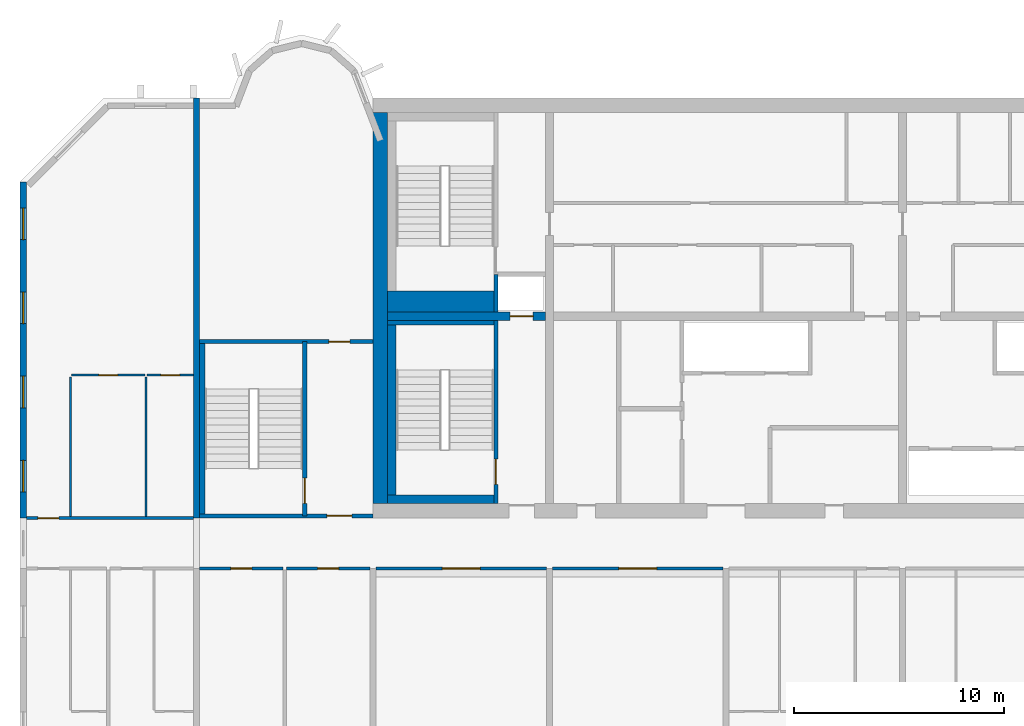
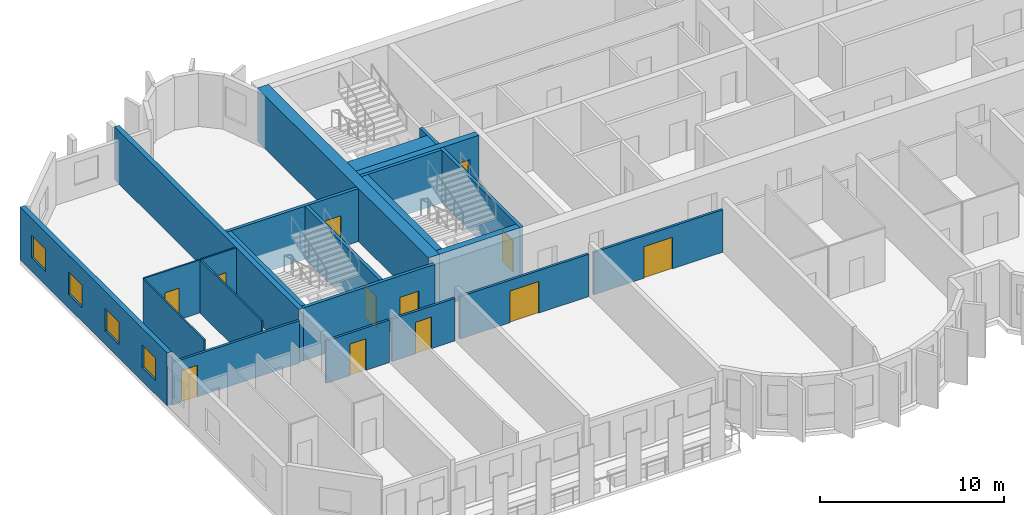
# One storey, part 3 of 13: 23 walls, 12 doors, 4 windows, 16 openings.
"""IFC4 building model written with IfcOpenShell, lengths in metres."""

from ifc_helpers import new_model, si_unit, direction, frame, frame_2d, origin, place, context, subcontext, project, spatial, rectangle, extrude, source, transform, mapped, material, layer, layer_set, type_object, element, fill, save


model = new_model("IFC4")

# Units and contexts
model_context = context("Model", 3, precision=1e-05, world=origin(), true_north=direction((0.0, 1.0)))
body_context = subcontext(model_context, "Body", "Model", "MODEL_VIEW")
ifc_project = project(units=[si_unit("LENGTHUNIT", "METRE"), si_unit("AREAUNIT", "SQUARE_METRE"), si_unit("VOLUMEUNIT", "CUBIC_METRE"), si_unit("PLANEANGLEUNIT", "RADIAN"), si_unit("MASSUNIT", "GRAM", prefix="KILO")], contexts=[model_context])

# Site, building, storey
site_placement = place(None, origin())
site = spatial("IfcSite", under=ifc_project, at=site_placement, CompositionType="ELEMENT")
building_placement = place(site_placement, origin())
building = spatial("IfcBuilding", under=site, at=building_placement, Name="Vanashikhar Sky Hotel", CompositionType="ELEMENT")
storey_placement = place(building_placement, frame((0.0, 0.0, 193.39990234375)))
storey = spatial("IfcBuildingStorey", under=building, at=storey_placement, Name="L47", CompositionType="ELEMENT", Elevation=193.39990234375)

# Wall
ifc_material_1 = material(Name="Concrete M60", Category="concrete")
ifc_layer_1 = layer(ifc_material_1, 0.699951171875)
ifc_layer_set_1 = layer_set([ifc_layer_1], Name="RC core shell wall 700 Concrete M60")
wall_type_1 = type_object("IfcWallType", Name="RC core shell wall 700 Concrete M60", PredefinedType="SHEAR", material=ifc_layer_set_1)
shared_shape_1 = source(origin(), body_context, "Body", "SweptSolid", [
    extrude(rectangle(XDim=18.60009765625, YDim=0.699951171875, at=frame_2d((9.300048828125, 0.0))), origin(), (0.0, 0.0, 1.0), 3.52001953125),
])
wall_1_placement = place(storey_placement, frame((25.550048828125, 22.699951171875, 0.0), z_axis=(0.0, 0.0, 1.0), x_axis=(0.0, 1.0, 0.0)))
element("IfcWall", 1, at=wall_1_placement, inside=storey, type_object=wall_type_1, Name="KW-L47-KW", PredefinedType="SHEAR", context=body_context, shape_type="MappedRepresentation", body=[
    mapped(shared_shape_1, transform((0.0, 0.0, 0.0), scale=1.0)),
])

# Wall, opening, door
ifc_layer_2 = layer(ifc_material_1, 0.39990234375)
ifc_layer_set_2 = layer_set([ifc_layer_2], Name="RC core inner wall 400 Concrete M60")
wall_type_2 = type_object("IfcWallType", Name="RC core inner wall 400 Concrete M60", PredefinedType="SHEAR", material=ifc_layer_set_2)
shared_shape_2 = source(origin(), body_context, "Body", "SweptSolid", [
    extrude(rectangle(XDim=7.5, YDim=0.39990234375, at=frame_2d((3.75, 0.0))), origin(), (0.0, 0.0, 1.0), 3.52001953125),
])
wall_2_placement = place(storey_placement, frame((25.89990234375, 31.60009765625, 0.0), z_axis=(0.0, 0.0, 1.0), x_axis=(1.0, 0.0, 0.0)))
wall_2 = element("IfcWall", 2, at=wall_2_placement, inside=storey, type_object=wall_type_2, Name="KW-L47-KY1", PredefinedType="SHEAR", context=body_context, shape_type="MappedRepresentation", body=[
    mapped(shared_shape_2, transform((0.0, 0.0, 0.0), scale=1.0)),
])
shared_shape_3 = source(origin(), body_context, "Body", "SweptSolid", [
    extrude(rectangle(XDim=1.10009765625, YDim=2.10009765625, at=frame_2d((0.550048828125, 1.050048828125))), frame((0.0, 0.2099609375, 0.0), z_axis=(0.0, -1.0, 0.0), x_axis=(1.0, 0.0, 0.0)), (0.0, 0.0, 1.0), 0.419921875),
])
opening_1_placement = place(wall_2_placement, frame((5.824951171875, 0.0, 0.0)))
opening_1 = element("IfcOpeningElement", 3, at=opening_1_placement, cuts=wall_2, Name="Opening LD", PredefinedType="OPENING", context=body_context, shape_type="MappedRepresentation", body=[
    mapped(shared_shape_3, transform((0.0, 0.0, 0.0), scale=1.0)),
])
ifc_material_2 = material(Name="Stainless steel", Category="steel")
door_type_1 = type_object("IfcDoorType", Name="Lift landing door 1100", OperationType="NOTDEFINED", PredefinedType="DOOR", material=ifc_material_2)
shared_shape_4 = source(origin(), body_context, "Body", "SweptSolid", [
    extrude(rectangle(XDim=1.10009765625, YDim=2.10009765625, at=frame_2d((0.550048828125, 1.050048828125))), frame((0.0, 0.02490234375, 0.0), z_axis=(0.0, -1.0, 0.0), x_axis=(1.0, 0.0, 0.0)), (0.0, 0.0, 1.0), 0.050048828125),
])
door_1_placement = place(opening_1_placement, origin())
door_1 = element("IfcDoor", 4, at=door_1_placement, inside=storey, type_object=door_type_1, Name="Lift landing door 1100", OperationType="SLIDING_TO_RIGHT", OverallHeight=2.10009765625, OverallWidth=1.10009765625, PredefinedType="DOOR", context=body_context, shape_type="MappedRepresentation", body=[
    mapped(shared_shape_4, transform((0.0, 0.0, 0.0), scale=1.0)),
])
fill(opening_1, door_1)

# Wall, openings, windows
ifc_layer_3 = layer(ifc_material_1, 0.300048828125)
ifc_layer_set_3 = layer_set([ifc_layer_3], Name="RC shear wall 300 Concrete M60")
wall_type_3 = type_object("IfcWallType", Name="RC shear wall 300 Concrete M60", PredefinedType="SHEAR", material=ifc_layer_set_3)
shared_shape_5 = source(origin(), body_context, "Body", "SweptSolid", [
    extrude(rectangle(XDim=16.0, YDim=0.300048828125, at=frame_2d((8.0, 0.0))), origin(), (0.0, 0.0, 1.0), 3.52001953125),
])
wall_3_placement = place(storey_placement, frame((8.550048828125, 22.0, 0.0), z_axis=(0.0, 0.0, 1.0), x_axis=(0.0, 1.0, 0.0)))
wall_3 = element("IfcWall", 5, at=wall_3_placement, inside=storey, type_object=wall_type_3, Name="CW-L47-XW02-2", PredefinedType="SHEAR", context=body_context, shape_type="MappedRepresentation", body=[
    mapped(shared_shape_5, transform((0.0, 0.0, 0.0), scale=1.0)),
])
shared_shape_6 = source(origin(), body_context, "Body", "SweptSolid", [
    extrude(rectangle(XDim=1.5, YDim=1.5, at=frame_2d((0.75, 0.75))), frame((0.0, 0.16015625, 0.0), z_axis=(0.0, -1.0, 0.0), x_axis=(1.0, 0.0, 0.0)), (0.0, 0.0, 1.0), 0.320068359375),
])
opening_2_placement = place(wall_3_placement, frame((1.25, 0.0, 0.89990234375)))
opening_2 = element("IfcOpeningElement", 6, at=opening_2_placement, cuts=wall_3, Name="Opening WN-1", PredefinedType="OPENING", context=body_context, shape_type="MappedRepresentation", body=[
    mapped(shared_shape_6, transform((0.0, 0.0, 0.0), scale=1.0)),
])
opening_3_placement = place(wall_3_placement, frame((5.25, 0.0, 0.89990234375)))
opening_3 = element("IfcOpeningElement", 7, at=opening_3_placement, cuts=wall_3, Name="Opening WN-1", PredefinedType="OPENING", context=body_context, shape_type="MappedRepresentation", body=[
    mapped(shared_shape_6, transform((0.0, 0.0, 0.0), scale=1.0)),
])
opening_4_placement = place(wall_3_placement, frame((9.25, 0.0, 0.89990234375)))
opening_4 = element("IfcOpeningElement", 8, at=opening_4_placement, cuts=wall_3, Name="Opening WN-1", PredefinedType="OPENING", context=body_context, shape_type="MappedRepresentation", body=[
    mapped(shared_shape_6, transform((0.0, 0.0, 0.0), scale=1.0)),
])
opening_5_placement = place(wall_3_placement, frame((13.25, 0.0, 0.89990234375)))
opening_5 = element("IfcOpeningElement", 9, at=opening_5_placement, cuts=wall_3, Name="Opening WN-1", PredefinedType="OPENING", context=body_context, shape_type="MappedRepresentation", body=[
    mapped(shared_shape_6, transform((0.0, 0.0, 0.0), scale=1.0)),
])
ifc_material_3 = material(Name="Glass", Category="glass")
window_type = type_object("IfcWindowType", Name="Window 1500 x 1500", PartitioningType="SINGLE_PANEL", PredefinedType="WINDOW", material=ifc_material_3)
shared_shape_7 = source(origin(), body_context, "Body", "SweptSolid", [
    extrude(rectangle(XDim=1.5, YDim=1.5, at=frame_2d((0.75, 0.75))), frame((0.0, 0.030029296875, 0.0), z_axis=(0.0, -1.0, 0.0), x_axis=(1.0, 0.0, 0.0)), (0.0, 0.0, 1.0), 0.06005859375),
])
window_1_placement = place(opening_2_placement, origin())
window_1 = element("IfcWindow", 10, at=window_1_placement, inside=storey, type_object=window_type, Name="Window WN-1", OverallHeight=1.5, OverallWidth=1.5, PartitioningType="SINGLE_PANEL", PredefinedType="WINDOW", context=body_context, shape_type="MappedRepresentation", body=[
    mapped(shared_shape_7, transform((0.0, 0.0, 0.0), scale=1.0)),
])
fill(opening_2, window_1)
window_2_placement = place(opening_3_placement, origin())
window_2 = element("IfcWindow", 11, at=window_2_placement, inside=storey, type_object=window_type, Name="Window WN-1", OverallHeight=1.5, OverallWidth=1.5, PartitioningType="SINGLE_PANEL", PredefinedType="WINDOW", context=body_context, shape_type="MappedRepresentation", body=[
    mapped(shared_shape_7, transform((0.0, 0.0, 0.0), scale=1.0)),
])
fill(opening_3, window_2)
window_3_placement = place(opening_4_placement, origin())
window_3 = element("IfcWindow", 12, at=window_3_placement, inside=storey, type_object=window_type, Name="Window WN-1", OverallHeight=1.5, OverallWidth=1.5, PartitioningType="SINGLE_PANEL", PredefinedType="WINDOW", context=body_context, shape_type="MappedRepresentation", body=[
    mapped(shared_shape_7, transform((0.0, 0.0, 0.0), scale=1.0)),
])
fill(opening_4, window_3)
window_4_placement = place(opening_5_placement, origin())
window_4 = element("IfcWindow", 13, at=window_4_placement, inside=storey, type_object=window_type, Name="Window WN-1", OverallHeight=1.5, OverallWidth=1.5, PartitioningType="SINGLE_PANEL", PredefinedType="WINDOW", context=body_context, shape_type="MappedRepresentation", body=[
    mapped(shared_shape_7, transform((0.0, 0.0, 0.0), scale=1.0)),
])
fill(opening_5, window_4)

# Wall
shared_shape_8 = source(origin(), body_context, "Body", "SweptSolid", [
    extrude(rectangle(XDim=20.0, YDim=0.300048828125, at=frame_2d((10.0, 0.0))), origin(), (0.0, 0.0, 1.0), 3.52001953125),
])
wall_4_placement = place(storey_placement, frame((16.800048828125, 22.0, 0.0), z_axis=(0.0, 0.0, 1.0), x_axis=(0.0, 1.0, 0.0)))
element("IfcWall", 14, at=wall_4_placement, inside=storey, type_object=wall_type_3, Name="CW-L47-XW03-2", PredefinedType="SHEAR", context=body_context, shape_type="MappedRepresentation", body=[
    mapped(shared_shape_8, transform((0.0, 0.0, 0.0), scale=1.0)),
])

# Wall, opening, door
ifc_material_4 = material(Name="Concrete M50", Category="concrete")
ifc_layer_4 = layer(ifc_material_4, 0.199951171875)
ifc_layer_set_4 = layer_set([ifc_layer_4], Name="Stair wall 200")
wall_type_4 = type_object("IfcWallType", Name="Stair wall 200", PredefinedType="SOLIDWALL", material=ifc_layer_set_4)
shared_shape_9 = source(origin(), body_context, "Body", "SweptSolid", [
    extrude(rectangle(XDim=8.2998046875, YDim=0.199951171875, at=frame_2d((4.14990234375, 0.0))), origin(), (0.0, 0.0, 1.0), 3.52001953125),
])
wall_5_placement = place(storey_placement, frame((21.949951171875, 22.10009765625, 0.0), z_axis=(0.0, 0.0, 1.0), x_axis=(0.0, 1.0, 0.0)))
wall_5 = element("IfcWall", 15, at=wall_5_placement, inside=storey, type_object=wall_type_4, Name="Stair wall 200", PredefinedType="SOLIDWALL", context=body_context, shape_type="MappedRepresentation", body=[
    mapped(shared_shape_9, transform((0.0, 0.0, 0.0), scale=1.0)),
])
shared_shape_10 = source(origin(), body_context, "Body", "SweptSolid", [
    extrude(rectangle(XDim=1.199951171875, YDim=2.10009765625, at=frame_2d((0.60009765625, 1.050048828125))), frame((0.0, 0.10986328125, 0.0), z_axis=(0.0, -1.0, 0.0), x_axis=(1.0, 0.0, 0.0)), (0.0, 0.0, 1.0), 0.219970703125),
])
opening_6_placement = place(wall_5_placement, frame((0.60009765625, 0.0, 0.0)))
opening_6 = element("IfcOpeningElement", 16, at=opening_6_placement, cuts=wall_5, Name="Opening DC-1", PredefinedType="OPENING", context=body_context, shape_type="MappedRepresentation", body=[
    mapped(shared_shape_10, transform((0.0, 0.0, 0.0), scale=1.0)),
])
ifc_material_5 = material(Name="Steel", Category="steel")
door_type_2 = type_object("IfcDoorType", Name="Stair door 1200 FD120", OperationType="NOTDEFINED", PredefinedType="DOOR", material=ifc_material_5)
shared_shape_11 = source(origin(), body_context, "Body", "SweptSolid", [
    extrude(rectangle(XDim=1.199951171875, YDim=2.10009765625, at=frame_2d((0.60009765625, 1.050048828125))), frame((0.0, 0.02490234375, 0.0), z_axis=(0.0, -1.0, 0.0), x_axis=(1.0, 0.0, 0.0)), (0.0, 0.0, 1.0), 0.050048828125),
])
door_2_placement = place(opening_6_placement, origin())
door_2 = element("IfcDoor", 17, at=door_2_placement, inside=storey, type_object=door_type_2, Name="Stair door 1200 FD120", OperationType="SINGLE_SWING_RIGHT", OverallHeight=2.10009765625, OverallWidth=1.199951171875, PredefinedType="DOOR", context=body_context, shape_type="MappedRepresentation", body=[
    mapped(shared_shape_11, transform((0.0, 0.0, 0.0), scale=1.0)),
])
fill(opening_6, door_2)

shared_shape_12 = source(origin(), body_context, "Body", "SweptSolid", [
    extrude(rectangle(XDim=8.699951171875, YDim=0.199951171875, at=frame_2d((4.35009765625, 0.0))), origin(), (0.0, 0.0, 1.0), 3.52001953125),
])
wall_6_placement = place(storey_placement, frame((31.050048828125, 22.699951171875, 0.0), z_axis=(0.0, 0.0, 1.0), x_axis=(0.0, 1.0, 0.0)))
wall_6 = element("IfcWall", 18, at=wall_6_placement, inside=storey, type_object=wall_type_4, Name="Stair wall 200", PredefinedType="SOLIDWALL", context=body_context, shape_type="MappedRepresentation", body=[
    mapped(shared_shape_12, transform((0.0, 0.0, 0.0), scale=1.0)),
])
opening_7_placement = place(wall_6_placement, frame((0.89990234375, 0.0, 0.0)))
opening_7 = element("IfcOpeningElement", 19, at=opening_7_placement, cuts=wall_6, Name="Opening DC-1", PredefinedType="OPENING", context=body_context, shape_type="MappedRepresentation", body=[
    mapped(shared_shape_10, transform((0.0, 0.0, 0.0), scale=1.0)),
])
door_3_placement = place(opening_7_placement, origin())
door_3 = element("IfcDoor", 20, at=door_3_placement, inside=storey, type_object=door_type_2, Name="Stair door 1200 FD120", OperationType="SINGLE_SWING_RIGHT", OverallHeight=2.10009765625, OverallWidth=1.199951171875, PredefinedType="DOOR", context=body_context, shape_type="MappedRepresentation", body=[
    mapped(shared_shape_11, transform((0.0, 0.0, 0.0), scale=1.0)),
])
fill(opening_7, door_3)

# Wall
ifc_material_6 = material(Name="Concrete M40", Category="concrete")
ifc_layer_5 = layer(ifc_material_6, 0.199951171875)
ifc_layer_set_5 = layer_set([ifc_layer_5], Name="Shaft wall 200")
wall_type_5 = type_object("IfcWallType", Name="Shaft wall 200", PredefinedType="SOLIDWALL", material=ifc_layer_set_5)
shared_shape_13 = source(origin(), body_context, "Body", "SweptSolid", [
    extrude(rectangle(XDim=1.800048828125, YDim=0.199951171875, at=frame_2d((0.89990234375, 0.0))), origin(), (0.0, 0.0, 1.0), 3.52001953125),
])
wall_7_placement = place(storey_placement, frame((31.050048828125, 31.800048828125, 0.0), z_axis=(0.0, 0.0, 1.0), x_axis=(0.0, 1.0, 0.0)))
element("IfcWall", 21, at=wall_7_placement, inside=storey, type_object=wall_type_5, Name="Shaft wall 200", PredefinedType="SOLIDWALL", context=body_context, shape_type="MappedRepresentation", body=[
    mapped(shared_shape_13, transform((0.0, 0.0, 0.0), scale=1.0)),
])

# Wall, opening, door
shared_shape_14 = source(origin(), body_context, "Body", "SweptSolid", [
    extrude(rectangle(XDim=8.25, YDim=0.199951171875, at=frame_2d((4.125, 0.0))), origin(), (0.0, 0.0, 1.0), 3.52001953125),
])
wall_8_placement = place(storey_placement, frame((16.949951171875, 22.10009765625, 0.0), z_axis=(0.0, 0.0, 1.0), x_axis=(1.0, 0.0, 0.0)))
wall_8 = element("IfcWall", 22, at=wall_8_placement, inside=storey, type_object=wall_type_4, Name="Stair wall 200", PredefinedType="SOLIDWALL", context=body_context, shape_type="MappedRepresentation", body=[
    mapped(shared_shape_14, transform((0.0, 0.0, 0.0), scale=1.0)),
])
opening_8_placement = place(wall_8_placement, frame((6.050048828125, 0.0, 0.0)))
opening_8 = element("IfcOpeningElement", 23, at=opening_8_placement, cuts=wall_8, Name="Opening DC-2", PredefinedType="OPENING", context=body_context, shape_type="MappedRepresentation", body=[
    mapped(shared_shape_10, transform((0.0, 0.0, 0.0), scale=1.0)),
])
door_type_3 = type_object("IfcDoorType", Name="Firefighting lobby door 1200 FD120", OperationType="NOTDEFINED", PredefinedType="DOOR", material=ifc_material_5)
door_4_placement = place(opening_8_placement, origin())
door_4 = element("IfcDoor", 24, at=door_4_placement, inside=storey, type_object=door_type_3, Name="Firefighting lobby door 1200 FD120", OperationType="SINGLE_SWING_LEFT", OverallHeight=2.10009765625, OverallWidth=1.199951171875, PredefinedType="DOOR", context=body_context, shape_type="MappedRepresentation", body=[
    mapped(shared_shape_11, transform((0.0, 0.0, 0.0), scale=1.0)),
])
fill(opening_8, door_4)

wall_9_placement = place(storey_placement, frame((16.949951171875, 30.39990234375, 0.0), z_axis=(0.0, 0.0, 1.0), x_axis=(1.0, 0.0, 0.0)))
wall_9 = element("IfcWall", 25, at=wall_9_placement, inside=storey, type_object=wall_type_4, Name="Stair wall 200", PredefinedType="SOLIDWALL", context=body_context, shape_type="MappedRepresentation", body=[
    mapped(shared_shape_14, transform((0.0, 0.0, 0.0), scale=1.0)),
])
shared_shape_15 = source(origin(), body_context, "Body", "SweptSolid", [
    extrude(rectangle(XDim=1.0, YDim=2.10009765625, at=frame_2d((0.5, 1.050048828125))), frame((0.0, 0.10986328125, 0.0), z_axis=(0.0, -1.0, 0.0), x_axis=(1.0, 0.0, 0.0)), (0.0, 0.0, 1.0), 0.219970703125),
])
opening_9_placement = place(wall_9_placement, frame((6.14990234375, 0.0, 0.0)))
opening_9 = element("IfcOpeningElement", 26, at=opening_9_placement, cuts=wall_9, Name="Opening DC-6", PredefinedType="OPENING", context=body_context, shape_type="MappedRepresentation", body=[
    mapped(shared_shape_15, transform((0.0, 0.0, 0.0), scale=1.0)),
])
door_type_4 = type_object("IfcDoorType", Name="Pocket door 1000 FD60", OperationType="NOTDEFINED", PredefinedType="DOOR", material=ifc_material_5)
shared_shape_16 = source(origin(), body_context, "Body", "SweptSolid", [
    extrude(rectangle(XDim=1.0, YDim=2.10009765625, at=frame_2d((0.5, 1.050048828125))), frame((0.0, 0.02490234375, 0.0), z_axis=(0.0, -1.0, 0.0), x_axis=(1.0, 0.0, 0.0)), (0.0, 0.0, 1.0), 0.050048828125),
])
door_5_placement = place(opening_9_placement, origin())
door_5 = element("IfcDoor", 27, at=door_5_placement, inside=storey, type_object=door_type_4, Name="Pocket door 1000 FD60", OperationType="SINGLE_SWING_LEFT", OverallHeight=2.10009765625, OverallWidth=1.0, PredefinedType="DOOR", context=body_context, shape_type="MappedRepresentation", body=[
    mapped(shared_shape_16, transform((0.0, 0.0, 0.0), scale=1.0)),
])
fill(opening_9, door_5)

# Walls
ifc_layer_6 = layer(ifc_material_4, 0.39990234375)
ifc_layer_set_6 = layer_set([ifc_layer_6], Name="Stair infill wall 400")
wall_type_6 = type_object("IfcWallType", Name="Stair infill wall 400", PredefinedType="SOLIDWALL", material=ifc_layer_set_6)
shared_shape_17 = source(origin(), body_context, "Body", "SweptSolid", [
    extrude(rectangle(XDim=5.050048828125, YDim=0.39990234375, at=frame_2d((2.52490234375, 0.0))), origin(), (0.0, 0.0, 1.0), 3.52001953125),
])
wall_10_placement = place(storey_placement, frame((25.89990234375, 22.89990234375, 0.0), z_axis=(0.0, 0.0, 1.0), x_axis=(1.0, 0.0, 0.0)))
element("IfcWall", 28, at=wall_10_placement, inside=storey, type_object=wall_type_6, Name="Stair infill wall 400", PredefinedType="SOLIDWALL", context=body_context, shape_type="MappedRepresentation", body=[
    mapped(shared_shape_17, transform((0.0, 0.0, 0.0), scale=1.0)),
])
ifc_layer_7 = layer(ifc_material_4, 0.199951171875)
ifc_layer_set_7 = layer_set([ifc_layer_7], Name="Stair infill wall 200")
wall_type_7 = type_object("IfcWallType", Name="Stair infill wall 200", PredefinedType="SOLIDWALL", material=ifc_layer_set_7)
shared_shape_18 = source(origin(), body_context, "Body", "SweptSolid", [
    extrude(rectangle(XDim=5.050048828125, YDim=0.199951171875, at=frame_2d((2.52490234375, 0.0))), origin(), (0.0, 0.0, 1.0), 3.52001953125),
])
wall_11_placement = place(storey_placement, frame((25.89990234375, 31.300048828125, 0.0), z_axis=(0.0, 0.0, 1.0), x_axis=(1.0, 0.0, 0.0)))
element("IfcWall", 29, at=wall_11_placement, inside=storey, type_object=wall_type_7, Name="Stair infill wall 200", PredefinedType="SOLIDWALL", context=body_context, shape_type="MappedRepresentation", body=[
    mapped(shared_shape_18, transform((0.0, 0.0, 0.0), scale=1.0)),
])
shared_shape_19 = source(origin(), body_context, "Body", "SweptSolid", [
    extrude(rectangle(XDim=8.099853515625, YDim=0.39990234375, at=frame_2d((4.0498046875, 0.0))), origin(), (0.0, 0.0, 1.0), 3.52001953125),
])
wall_12_placement = place(storey_placement, frame((26.10009765625, 23.10009765625, 0.0), z_axis=(0.0, 0.0, 1.0), x_axis=(0.0, 1.0, 0.0)))
element("IfcWall", 30, at=wall_12_placement, inside=storey, type_object=wall_type_6, Name="Stair infill wall 400", PredefinedType="SOLIDWALL", context=body_context, shape_type="MappedRepresentation", body=[
    mapped(shared_shape_19, transform((0.0, 0.0, 0.0), scale=1.0)),
])
ifc_layer_8 = layer(ifc_material_4, 0.25)
ifc_layer_set_8 = layer_set([ifc_layer_8], Name="Stair infill wall 250")
wall_type_8 = type_object("IfcWallType", Name="Stair infill wall 250", PredefinedType="SOLIDWALL", material=ifc_layer_set_8)
shared_shape_20 = source(origin(), body_context, "Body", "SweptSolid", [
    extrude(rectangle(XDim=8.10009765625, YDim=0.25, at=frame_2d((4.050048828125, 0.0))), origin(), (0.0, 0.0, 1.0), 3.52001953125),
])
wall_13_placement = place(storey_placement, frame((17.074951171875, 22.199951171875, 0.0), z_axis=(0.0, 0.0, 1.0), x_axis=(0.0, 1.0, 0.0)))
element("IfcWall", 31, at=wall_13_placement, inside=storey, type_object=wall_type_8, Name="Stair infill wall 250", PredefinedType="SOLIDWALL", context=body_context, shape_type="MappedRepresentation", body=[
    mapped(shared_shape_20, transform((0.0, 0.0, 0.0), scale=1.0)),
])
ifc_layer_9 = layer(ifc_material_4, 1.0)
ifc_layer_set_9 = layer_set([ifc_layer_9], Name="Stair infill wall 1000")
wall_type_9 = type_object("IfcWallType", Name="Stair infill wall 1000", PredefinedType="SOLIDWALL", material=ifc_layer_set_9)
shared_shape_21 = source(origin(), body_context, "Body", "SweptSolid", [
    extrude(rectangle(XDim=5.050048828125, YDim=1.0, at=frame_2d((2.52490234375, 0.0))), origin(), (0.0, 0.0, 1.0), 3.52001953125),
])
wall_14_placement = place(storey_placement, frame((25.89990234375, 32.300048828125, 0.0), z_axis=(0.0, 0.0, 1.0), x_axis=(1.0, 0.0, 0.0)))
element("IfcWall", 32, at=wall_14_placement, inside=storey, type_object=wall_type_9, Name="Stair infill wall 1000", PredefinedType="SOLIDWALL", context=body_context, shape_type="MappedRepresentation", body=[
    mapped(shared_shape_21, transform((0.0, 0.0, 0.0), scale=1.0)),
])

# Wall, opening, door
ifc_material_7 = material(Name="Gypsum plasterboard partition")
ifc_layer_10 = layer(ifc_material_7, 0.10009765625)
ifc_layer_set_10 = layer_set([ifc_layer_10], Name="Wet room partition 100")
wall_type_10 = type_object("IfcWallType", Name="Wet room partition 100", PredefinedType="PARTITIONING", material=ifc_layer_set_10)
shared_shape_22 = source(origin(), body_context, "Body", "SweptSolid", [
    extrude(rectangle(XDim=3.5, YDim=0.10009765625, at=frame_2d((1.75, 0.0))), origin(), (0.0, 0.0, 1.0), 3.52001953125),
])
wall_15_placement = place(storey_placement, frame((10.85009765625, 28.800048828125, 0.0), z_axis=(0.0, 0.0, 1.0), x_axis=(1.0, 0.0, 0.0)))
wall_15 = element("IfcWall", 33, at=wall_15_placement, inside=storey, type_object=wall_type_10, Name="W-L47-PW055", PredefinedType="PARTITIONING", context=body_context, shape_type="MappedRepresentation", body=[
    mapped(shared_shape_22, transform((0.0, 0.0, 0.0), scale=1.0)),
])
shared_shape_23 = source(origin(), body_context, "Body", "SweptSolid", [
    extrude(rectangle(XDim=0.89990234375, YDim=2.10009765625, at=frame_2d((0.449951171875, 1.050048828125))), frame((0.0, 0.06005859375, 0.0), z_axis=(0.0, -1.0, 0.0), x_axis=(1.0, 0.0, 0.0)), (0.0, 0.0, 1.0), 0.1201171875),
])
opening_10_placement = place(wall_15_placement, frame((1.300048828125, 0.0, 0.0)))
opening_10 = element("IfcOpeningElement", 34, at=opening_10_placement, cuts=wall_15, Name="Opening D-02", PredefinedType="OPENING", context=body_context, shape_type="MappedRepresentation", body=[
    mapped(shared_shape_23, transform((0.0, 0.0, 0.0), scale=1.0)),
])
ifc_material_8 = material(Name="Timber door", Category="wood")
door_type_5 = type_object("IfcDoorType", Name="Internal door 900", OperationType="NOTDEFINED", PredefinedType="DOOR", material=ifc_material_8)
shared_shape_24 = source(origin(), body_context, "Body", "SweptSolid", [
    extrude(rectangle(XDim=0.89990234375, YDim=2.10009765625, at=frame_2d((0.449951171875, 1.050048828125))), frame((0.0, 0.02490234375, 0.0), z_axis=(0.0, -1.0, 0.0), x_axis=(1.0, 0.0, 0.0)), (0.0, 0.0, 1.0), 0.050048828125),
])
door_6_placement = place(opening_10_placement, origin())
door_6 = element("IfcDoor", 35, at=door_6_placement, inside=storey, type_object=door_type_5, Name="D-L47-031", OperationType="SINGLE_SWING_LEFT", OverallHeight=2.10009765625, OverallWidth=0.89990234375, PredefinedType="DOOR", context=body_context, shape_type="MappedRepresentation", body=[
    mapped(shared_shape_24, transform((0.0, 0.0, 0.0), scale=1.0)),
])
fill(opening_10, door_6)

ifc_layer_11 = layer(ifc_material_7, 0.14990234375)
ifc_layer_set_11 = layer_set([ifc_layer_11], Name="Corridor and demising partition 150")
wall_type_11 = type_object("IfcWallType", Name="Corridor and demising partition 150", PredefinedType="PARTITIONING", material=ifc_layer_set_11)
shared_shape_25 = source(origin(), body_context, "Body", "SweptSolid", [
    extrude(rectangle(XDim=7.949951171875, YDim=0.14990234375, at=frame_2d((3.97509765625, 0.0))), origin(), (0.0, 0.0, 1.0), 2.820068359375),
])
wall_16_placement = place(storey_placement, frame((8.699951171875, 22.0, 0.0), z_axis=(0.0, 0.0, 1.0), x_axis=(1.0, 0.0, 0.0)))
wall_16 = element("IfcWall", 36, at=wall_16_placement, inside=storey, type_object=wall_type_11, Name="W-L47-PW057", PredefinedType="PARTITIONING", context=body_context, shape_type="MappedRepresentation", body=[
    mapped(shared_shape_25, transform((0.0, 0.0, 0.0), scale=1.0)),
])
shared_shape_26 = source(origin(), body_context, "Body", "SweptSolid", [
    extrude(rectangle(XDim=1.0, YDim=2.10009765625, at=frame_2d((0.5, 1.050048828125))), frame((0.0, 0.0849609375, 0.0), z_axis=(0.0, -1.0, 0.0), x_axis=(1.0, 0.0, 0.0)), (0.0, 0.0, 1.0), 0.169921875),
])
opening_11_placement = place(wall_16_placement, frame((0.550048828125, 0.0, 0.0)))
opening_11 = element("IfcOpeningElement", 37, at=opening_11_placement, cuts=wall_16, Name="Opening D-01", PredefinedType="OPENING", context=body_context, shape_type="MappedRepresentation", body=[
    mapped(shared_shape_26, transform((0.0, 0.0, 0.0), scale=1.0)),
])
ifc_material_9 = material(Name="Timber fire door", Category="wood")
door_type_6 = type_object("IfcDoorType", Name="Guest entry door 1000 FD30S", OperationType="NOTDEFINED", PredefinedType="DOOR", material=ifc_material_9)
door_7_placement = place(opening_11_placement, origin())
door_7 = element("IfcDoor", 38, at=door_7_placement, inside=storey, type_object=door_type_6, Name="D-L47-033", OperationType="SINGLE_SWING_LEFT", OverallHeight=2.10009765625, OverallWidth=1.0, PredefinedType="DOOR", context=body_context, shape_type="MappedRepresentation", body=[
    mapped(shared_shape_16, transform((0.0, 0.0, 0.0), scale=1.0)),
])
fill(opening_11, door_7)

# Walls
shared_shape_27 = source(origin(), body_context, "Body", "SweptSolid", [
    extrude(rectangle(XDim=6.650146484375, YDim=0.10009765625, at=frame_2d((3.3251953125, 0.0))), origin(), (0.0, 0.0, 1.0), 3.52001953125),
])
for number, where, z_axis, x_axis, name in (
    (39, (10.800048828125, 22.074951171875, 0.0), (0.0, 0.0, 1.0), (0.0, 1.0, 0.0), "W-L47-PW053"),
    (40, (14.39990234375, 22.074951171875, 0.0), (0.0, 0.0, 1.0), (0.0, 1.0, 0.0), "W-L47-PW054"),
):
    element("IfcWall", number, at=place(storey_placement, frame(where, z_axis=z_axis, x_axis=x_axis)), inside=storey, type_object=wall_type_10, Name=name, PredefinedType="PARTITIONING", context=body_context, shape_type="MappedRepresentation", body=[
        mapped(shared_shape_27, transform((0.0, 0.0, 0.0), scale=1.0)),
    ])

# Wall, opening, door
shared_shape_28 = source(origin(), body_context, "Body", "SweptSolid", [
    extrude(rectangle(XDim=8.10009765625, YDim=0.14990234375, at=frame_2d((4.050048828125, 0.0))), origin(), (0.0, 0.0, 1.0), 2.820068359375),
])
wall_17_placement = place(storey_placement, frame((33.75, 19.60009765625, 0.0), z_axis=(0.0, 0.0, 1.0), x_axis=(1.0, 0.0, 0.0)))
wall_17 = element("IfcWall", 41, at=wall_17_placement, inside=storey, type_object=wall_type_11, Name="W-L47-PW012", PredefinedType="PARTITIONING", context=body_context, shape_type="MappedRepresentation", body=[
    mapped(shared_shape_28, transform((0.0, 0.0, 0.0), scale=1.0)),
])
shared_shape_29 = source(origin(), body_context, "Body", "SweptSolid", [
    extrude(rectangle(XDim=1.800048828125, YDim=2.10009765625, at=frame_2d((0.89990234375, 1.050048828125))), frame((0.0, 0.0849609375, 0.0), z_axis=(0.0, -1.0, 0.0), x_axis=(1.0, 0.0, 0.0)), (0.0, 0.0, 1.0), 0.169921875),
])
opening_12_placement = place(wall_17_placement, frame((3.14990234375, 0.0, 0.0)))
opening_12 = element("IfcOpeningElement", 42, at=opening_12_placement, cuts=wall_17, Name="Opening D-03", PredefinedType="OPENING", context=body_context, shape_type="MappedRepresentation", body=[
    mapped(shared_shape_29, transform((0.0, 0.0, 0.0), scale=1.0)),
])
door_type_7 = type_object("IfcDoorType", Name="Double leaf door 1800 FD30S", OperationType="NOTDEFINED", PredefinedType="DOOR", material=ifc_material_9)
shared_shape_30 = source(origin(), body_context, "Body", "SweptSolid", [
    extrude(rectangle(XDim=1.800048828125, YDim=2.10009765625, at=frame_2d((0.89990234375, 1.050048828125))), frame((0.0, 0.02490234375, 0.0), z_axis=(0.0, -1.0, 0.0), x_axis=(1.0, 0.0, 0.0)), (0.0, 0.0, 1.0), 0.050048828125),
])
door_8_placement = place(opening_12_placement, origin())
door_8 = element("IfcDoor", 43, at=door_8_placement, inside=storey, type_object=door_type_7, Name="D-L47-008", OperationType="DOUBLE_DOOR_SINGLE_SWING", OverallHeight=2.10009765625, OverallWidth=1.800048828125, PredefinedType="DOOR", context=body_context, shape_type="MappedRepresentation", body=[
    mapped(shared_shape_30, transform((0.0, 0.0, 0.0), scale=1.0)),
])
fill(opening_12, door_8)

shared_shape_31 = source(origin(), body_context, "Body", "SweptSolid", [
    extrude(rectangle(XDim=3.97509765625, YDim=0.14990234375, at=frame_2d((1.987548828125, 0.0))), origin(), (0.0, 0.0, 1.0), 2.820068359375),
])
wall_18_placement = place(storey_placement, frame((16.949951171875, 19.60009765625, 0.0), z_axis=(0.0, 0.0, 1.0), x_axis=(1.0, 0.0, 0.0)))
wall_18 = element("IfcWall", 44, at=wall_18_placement, inside=storey, type_object=wall_type_11, Name="W-L47-PW008", PredefinedType="PARTITIONING", context=body_context, shape_type="MappedRepresentation", body=[
    mapped(shared_shape_31, transform((0.0, 0.0, 0.0), scale=1.0)),
])
opening_13_placement = place(wall_18_placement, frame((1.488037109375, 0.0, 0.0)))
opening_13 = element("IfcOpeningElement", 45, at=opening_13_placement, cuts=wall_18, Name="Opening D-01", PredefinedType="OPENING", context=body_context, shape_type="MappedRepresentation", body=[
    mapped(shared_shape_26, transform((0.0, 0.0, 0.0), scale=1.0)),
])
door_9_placement = place(opening_13_placement, origin())
door_9 = element("IfcDoor", 46, at=door_9_placement, inside=storey, type_object=door_type_6, Name="D-L47-005", OperationType="SINGLE_SWING_LEFT", OverallHeight=2.10009765625, OverallWidth=1.0, PredefinedType="DOOR", context=body_context, shape_type="MappedRepresentation", body=[
    mapped(shared_shape_16, transform((0.0, 0.0, 0.0), scale=1.0)),
])
fill(opening_13, door_9)

wall_19_placement = place(storey_placement, frame((21.074951171875, 19.60009765625, 0.0), z_axis=(0.0, 0.0, 1.0), x_axis=(1.0, 0.0, 0.0)))
wall_19 = element("IfcWall", 47, at=wall_19_placement, inside=storey, type_object=wall_type_11, Name="W-L47-PW009", PredefinedType="PARTITIONING", context=body_context, shape_type="MappedRepresentation", body=[
    mapped(shared_shape_31, transform((0.0, 0.0, 0.0), scale=1.0)),
])
opening_14_placement = place(wall_19_placement, frame((1.488037109375, 0.0, 0.0)))
opening_14 = element("IfcOpeningElement", 48, at=opening_14_placement, cuts=wall_19, Name="Opening D-01", PredefinedType="OPENING", context=body_context, shape_type="MappedRepresentation", body=[
    mapped(shared_shape_26, transform((0.0, 0.0, 0.0), scale=1.0)),
])
door_10_placement = place(opening_14_placement, origin())
door_10 = element("IfcDoor", 49, at=door_10_placement, inside=storey, type_object=door_type_6, Name="D-L47-006", OperationType="SINGLE_SWING_RIGHT", OverallHeight=2.10009765625, OverallWidth=1.0, PredefinedType="DOOR", context=body_context, shape_type="MappedRepresentation", body=[
    mapped(shared_shape_16, transform((0.0, 0.0, 0.0), scale=1.0)),
])
fill(opening_14, door_10)

shared_shape_32 = source(origin(), body_context, "Body", "SweptSolid", [
    extrude(rectangle(XDim=8.099853515625, YDim=0.14990234375, at=frame_2d((4.0498046875, 0.0))), origin(), (0.0, 0.0, 1.0), 2.820068359375),
])
wall_20_placement = place(storey_placement, frame((25.35009765625, 19.60009765625, 0.0), z_axis=(0.0, 0.0, 1.0), x_axis=(1.0, 0.0, 0.0)))
wall_20 = element("IfcWall", 50, at=wall_20_placement, inside=storey, type_object=wall_type_11, Name="W-L47-PW011", PredefinedType="PARTITIONING", context=body_context, shape_type="MappedRepresentation", body=[
    mapped(shared_shape_32, transform((0.0, 0.0, 0.0), scale=1.0)),
])
opening_15_placement = place(wall_20_placement, frame((3.14990234375, 0.0, 0.0)))
opening_15 = element("IfcOpeningElement", 51, at=opening_15_placement, cuts=wall_20, Name="Opening D-03", PredefinedType="OPENING", context=body_context, shape_type="MappedRepresentation", body=[
    mapped(shared_shape_29, transform((0.0, 0.0, 0.0), scale=1.0)),
])
door_11_placement = place(opening_15_placement, origin())
door_11 = element("IfcDoor", 52, at=door_11_placement, inside=storey, type_object=door_type_7, Name="D-L47-007", OperationType="DOUBLE_DOOR_SINGLE_SWING", OverallHeight=2.10009765625, OverallWidth=1.800048828125, PredefinedType="DOOR", context=body_context, shape_type="MappedRepresentation", body=[
    mapped(shared_shape_30, transform((0.0, 0.0, 0.0), scale=1.0)),
])
fill(opening_15, door_11)

shared_shape_33 = source(origin(), body_context, "Body", "SweptSolid", [
    extrude(rectangle(XDim=2.199951171875, YDim=0.10009765625, at=frame_2d((1.10009765625, 0.0))), origin(), (0.0, 0.0, 1.0), 3.52001953125),
])
wall_21_placement = place(storey_placement, frame((14.449951171875, 28.800048828125, 0.0), z_axis=(0.0, 0.0, 1.0), x_axis=(1.0, 0.0, 0.0)))
wall_21 = element("IfcWall", 53, at=wall_21_placement, inside=storey, type_object=wall_type_10, Name="W-L47-PW056", PredefinedType="PARTITIONING", context=body_context, shape_type="MappedRepresentation", body=[
    mapped(shared_shape_33, transform((0.0, 0.0, 0.0), scale=1.0)),
])
opening_16_placement = place(wall_21_placement, frame((0.64990234375, 0.0, 0.0)))
opening_16 = element("IfcOpeningElement", 54, at=opening_16_placement, cuts=wall_21, Name="Opening D-02", PredefinedType="OPENING", context=body_context, shape_type="MappedRepresentation", body=[
    mapped(shared_shape_23, transform((0.0, 0.0, 0.0), scale=1.0)),
])
door_12_placement = place(opening_16_placement, origin())
door_12 = element("IfcDoor", 55, at=door_12_placement, inside=storey, type_object=door_type_5, Name="D-L47-032", OperationType="SINGLE_SWING_LEFT", OverallHeight=2.10009765625, OverallWidth=0.89990234375, PredefinedType="DOOR", context=body_context, shape_type="MappedRepresentation", body=[
    mapped(shared_shape_24, transform((0.0, 0.0, 0.0), scale=1.0)),
])
fill(opening_16, door_12)

save(model, "model.ifc")
